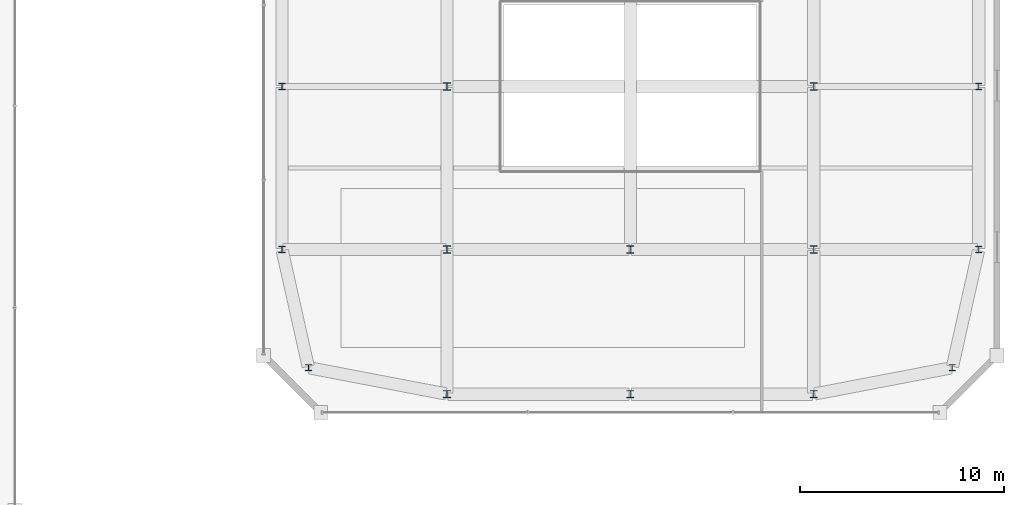
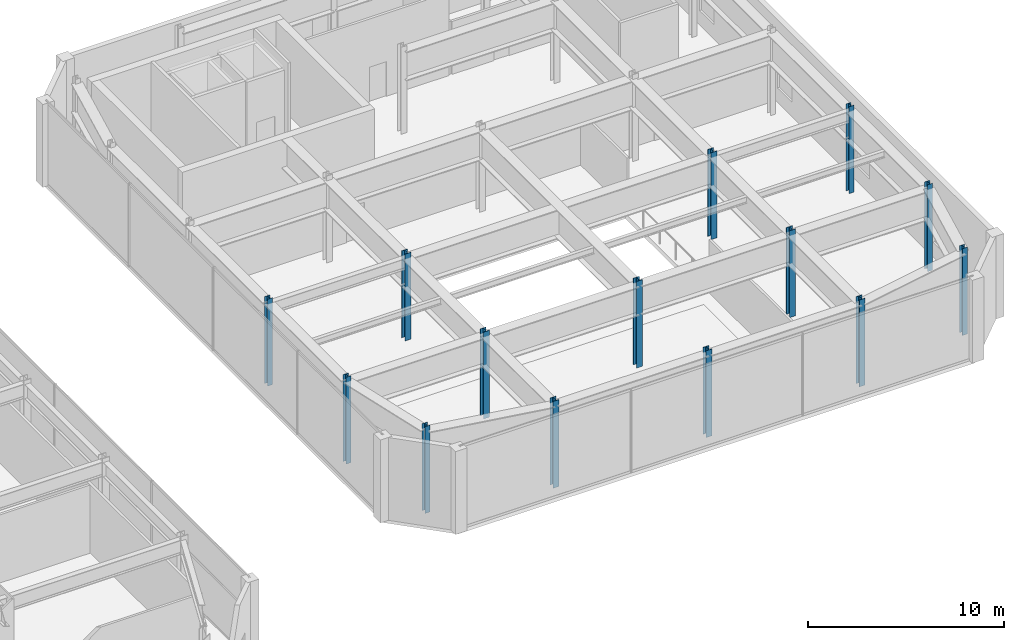
# One storey, part 6 of 53: 14 columns.
"""IFC4 building model written with IfcOpenShell, lengths in metres."""

from ifc_helpers import new_model, si_unit, direction, frame, origin, origin_2d, place, context, subcontext, project, spatial, i_section, extrude, material, material_profile, profile_set, type_object, element, save


model = new_model("IFC4")

# Units and contexts
model_context = context("Model", 3, precision=1e-05, world=origin(), true_north=direction((0.0, 1.0)))
body_context = subcontext(model_context, "Body", "Model", "MODEL_VIEW")
ifc_project = project(units=[si_unit("LENGTHUNIT", "METRE"), si_unit("AREAUNIT", "SQUARE_METRE"), si_unit("VOLUMEUNIT", "CUBIC_METRE"), si_unit("PLANEANGLEUNIT", "RADIAN"), si_unit("MASSUNIT", "GRAM", prefix="KILO")], contexts=[model_context])

# Site, building, storey
site_placement = place(None, origin())
site = spatial("IfcSite", under=ifc_project, at=site_placement, CompositionType="ELEMENT")
building_placement = place(site_placement, origin())
building = spatial("IfcBuilding", under=site, at=building_placement, Name="Saevonmaru Cultural Tower", CompositionType="ELEMENT")
storey_placement = place(building_placement, frame((0.0, 0.0, 22.199951171875)))
storey = spatial("IfcBuildingStorey", under=building, at=storey_placement, Name="L04", CompositionType="ELEMENT", Elevation=22.199951171875)

# Columns
ifc_material = material(Name="Steel SM355", Category="steel")
ifc_material_profile_1 = material_profile(ifc_material, i_section(OverallWidth=0.300048828125, OverallDepth=0.300048828125, WebThickness=0.010009765625, FlangeThickness=0.014892578125, FilletRadius=0.01806640625, at=origin_2d()), Name="H-300x300x10x15")
ifc_profile_set_1 = profile_set([ifc_material_profile_1], Name="Steel SM355")
column_type_1 = type_object("IfcColumnType", Name="COL-H-300", PredefinedType="COLUMN", material=ifc_profile_set_1)
for number, where, z_axis, x_axis, name in (
    (1, (74.39990234375, 10.199951171875, 0.0), (0.0, 0.0, 1.0), (1.0, 0.0, 0.0), "L04 Column LC-9-B"),
    (2, (73.10009765625, 16.0, 0.0), (0.0, 0.0, 1.0), (1.0, 0.0, 0.0), "L04 Column LC-9-C"),
    (3, (73.10009765625, 24.0, 0.0), (0.0, 0.0, 1.0), (1.0, 0.0, 0.0), "L04 Column LC-9-D"),
    (4, (106.0, 10.199951171875, 0.0), (0.0, 0.0, 1.0), (1.0, 0.0, 0.0), "L04 Column LC-13-B"),
    (5, (107.300048828125, 16.0, 0.0), (0.0, 0.0, 1.0), (1.0, 0.0, 0.0), "L04 Column LC-13-C"),
    (6, (107.300048828125, 24.0, 0.0), (0.0, 0.0, 1.0), (1.0, 0.0, 0.0), "L04 Column LC-13-D"),
):
    element("IfcColumn", number, at=place(storey_placement, frame(where, z_axis=z_axis, x_axis=x_axis)), inside=storey, type_object=column_type_1, Name=name, PredefinedType="COLUMN", context=body_context, shape_type="SweptSolid", body=[
        extrude(i_section(OverallWidth=0.300048828125, OverallDepth=0.300048828125, WebThickness=0.010009765625, FlangeThickness=0.014892578125, FilletRadius=0.01806640625, at=origin_2d()), origin(), (0.0, 0.0, 1.0), 5.400146484375),
    ])
ifc_material_profile_2 = material_profile(ifc_material, i_section(OverallWidth=0.35009765625, OverallDepth=0.35009765625, WebThickness=0.011962890625, FlangeThickness=0.01904296875, FilletRadius=0.02001953125, at=origin_2d()), Name="H-350x350x12x19")
ifc_profile_set_2 = profile_set([ifc_material_profile_2], Name="Steel SM355")
column_type_2 = type_object("IfcColumnType", Name="COL-H-350", PredefinedType="COLUMN", material=ifc_profile_set_2)
for number, where, z_axis, x_axis, name in (
    (7, (81.199951171875, 8.89990234375, 0.0), (0.0, 0.0, 1.0), (1.0, 0.0, 0.0), "L04 Column LC-10-B"),
    (8, (81.199951171875, 16.0, 0.0), (0.0, 0.0, 1.0), (1.0, 0.0, 0.0), "L04 Column LC-10-C"),
    (9, (81.199951171875, 24.0, 0.0), (0.0, 0.0, 1.0), (1.0, 0.0, 0.0), "L04 Column LC-10-D"),
    (10, (90.199951171875, 8.89990234375, 0.0), (0.0, 0.0, 1.0), (1.0, 0.0, 0.0), "L04 Column LC-11-B"),
    (11, (90.199951171875, 16.0, 0.0), (0.0, 0.0, 1.0), (1.0, 0.0, 0.0), "L04 Column LC-11-C"),
    (12, (99.199951171875, 8.89990234375, 0.0), (0.0, 0.0, 1.0), (1.0, 0.0, 0.0), "L04 Column LC-12-B"),
    (13, (99.199951171875, 16.0, 0.0), (0.0, 0.0, 1.0), (1.0, 0.0, 0.0), "L04 Column LC-12-C"),
    (14, (99.199951171875, 24.0, 0.0), (0.0, 0.0, 1.0), (1.0, 0.0, 0.0), "L04 Column LC-12-D"),
):
    element("IfcColumn", number, at=place(storey_placement, frame(where, z_axis=z_axis, x_axis=x_axis)), inside=storey, type_object=column_type_2, Name=name, PredefinedType="COLUMN", context=body_context, shape_type="SweptSolid", body=[
        extrude(i_section(OverallWidth=0.35009765625, OverallDepth=0.35009765625, WebThickness=0.011962890625, FlangeThickness=0.01904296875, FilletRadius=0.02001953125, at=origin_2d()), origin(), (0.0, 0.0, 1.0), 5.400146484375),
    ])

save(model, "model.ifc")
